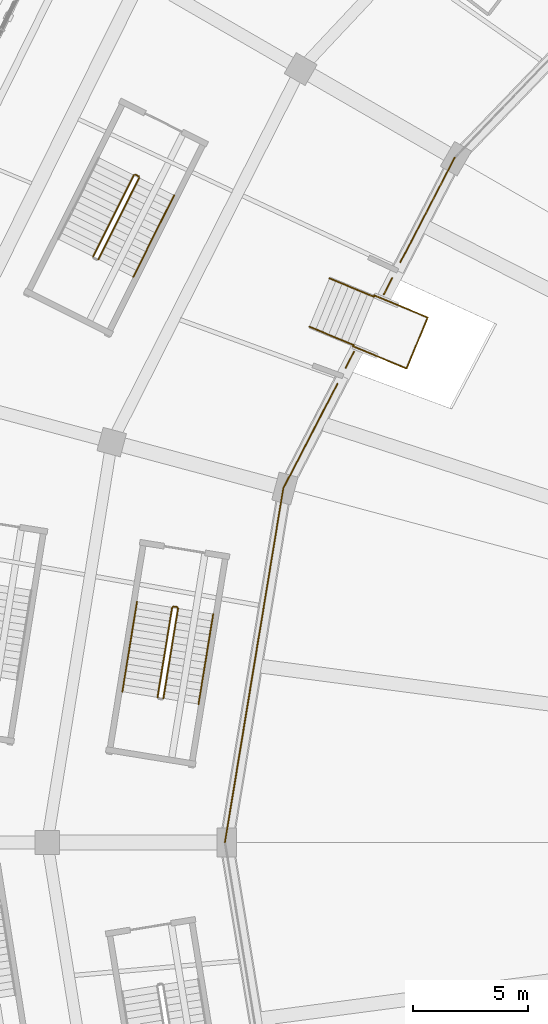
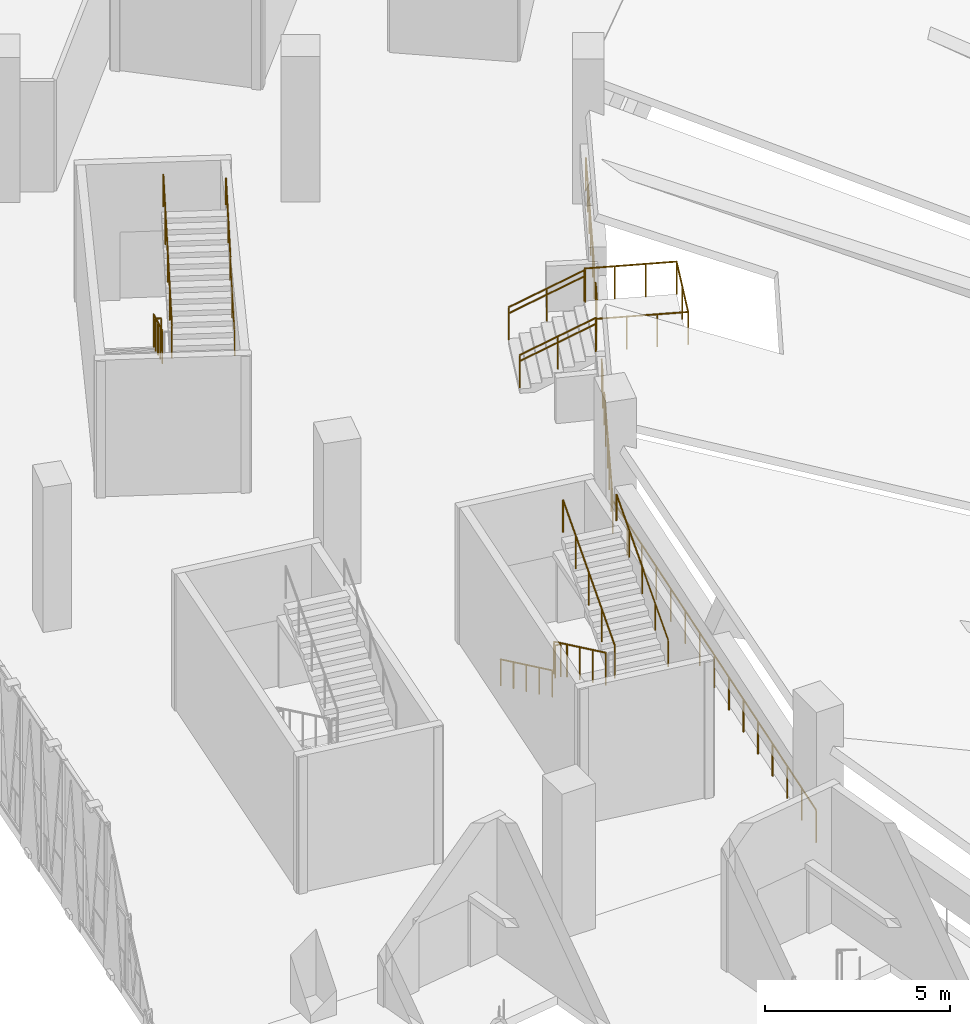
# One storey, part 142 of 183: 21 railings.
"""IFC4 building model written with IfcOpenShell, lengths in metres."""

import ifcopenshell
import ifcopenshell.guid

model = None  # the IFC model being written
_history = None  # IfcOwnerHistory: only IFC2X3 demands one
_inside = {}  # id of a spatial element -> (the spatial element, [elements in it])
_under = {}  # id of a project, library or spatial element -> (it, [spatial elements below it])
_declared = {}  # id of a project -> (the project, [libraries it declares])
_typed = {}  # id of a type object -> (the type object, [elements of that type])
_made_of = {}  # id of a material, layer set ... -> (it, [elements and type objects made of it])


def new_model(schema):
    """Start an empty IFC model of exactly this schema.

    Asked for "IFC4X3", IfcOpenShell would pick the latest addendum, in which some entities
    have other attributes; the version numbers below select the first issue.
    IFC2X3 requires an IfcOwnerHistory on every rooted entity: one is made here for all.
    """
    global model, _history
    if schema == "IFC4X3":
        model = ifcopenshell.file(schema_version=(4, 3, 0, 0))
    else:
        model = ifcopenshell.file(schema=schema)
    _inside.clear()
    _under.clear()
    _declared.clear()
    _typed.clear()
    _made_of.clear()
    _history = None
    if model.schema == "IFC2X3":
        org = make("IfcOrganization", Name="unknown")
        user = make(
            "IfcPersonAndOrganization",
            ThePerson=make("IfcPerson", FamilyName="unknown"),
            TheOrganization=org,
        )
        app = make(
            "IfcApplication",
            ApplicationDeveloper=org,
            Version="unknown",
            ApplicationFullName="unknown",
            ApplicationIdentifier="unknown",
        )
        _history = make(
            "IfcOwnerHistory",
            OwningUser=user,
            OwningApplication=app,
            ChangeAction="ADDED",
            CreationDate=0,
        )
    return model


def make(cls, **values):
    """One entity of the class cls with the attributes given. An attribute that is None is left unset."""
    return model.create_entity(
        cls, **{name: value for name, value in values.items() if value is not None}
    )


def rooted(cls, **values):
    """An entity with a GlobalId (a new one), such as an element, a storey or a relation."""
    return make(cls, GlobalId=ifcopenshell.guid.new(), OwnerHistory=_history, **values)


def si_unit(unit_type, name, prefix=None):
    """IfcSIUnit, for example si_unit("LENGTHUNIT", "METRE", prefix="MILLI")."""
    return make("IfcSIUnit", UnitType=unit_type, Prefix=prefix, Name=name)


def assignment(units):
    """IfcUnitAssignment: the units of a project."""
    return None if units is None else make("IfcUnitAssignment", Units=units)


def point(xyz):
    """IfcCartesianPoint."""
    return None if xyz is None else make("IfcCartesianPoint", Coordinates=xyz)


def direction(xyz):
    """IfcDirection."""
    return None if xyz is None else make("IfcDirection", DirectionRatios=xyz)


def frame(location, z_axis=None, x_axis=None):
    """IfcAxis2Placement3D, a coordinate frame: its origin and axes. An axis left out is left unset."""
    return make(
        "IfcAxis2Placement3D",
        Location=point(location),
        Axis=direction(z_axis),
        RefDirection=direction(x_axis),
    )


def frame_2d(location, x_axis=None):
    """IfcAxis2Placement2D, a coordinate frame in the plane: its origin and x axis."""
    return make(
        "IfcAxis2Placement2D", Location=point(location), RefDirection=direction(x_axis)
    )


def origin():
    """The frame at (0, 0, 0) with its axes left unset."""
    return frame((0.0, 0.0, 0.0))


def origin_2d():
    """The frame at (0, 0) in the plane with its x axis left unset."""
    return frame_2d((0.0, 0.0))


def place(relative_to, where):
    """IfcLocalPlacement: puts the frame where relative to a parent placement (None: the world)."""
    return make(
        "IfcLocalPlacement", PlacementRelTo=relative_to, RelativePlacement=where
    )


def context(
    kind, dimensions, precision=None, world=None, true_north=None, identifier=None
):
    """IfcGeometricRepresentationContext, for example the 3D "Model" context."""
    return make(
        "IfcGeometricRepresentationContext",
        ContextIdentifier=identifier,
        ContextType=kind,
        CoordinateSpaceDimension=dimensions,
        Precision=precision,
        WorldCoordinateSystem=world,
        TrueNorth=true_north,
    )


def subcontext(parent, identifier, kind, view, scale=None):
    """IfcGeometricRepresentationSubContext, for example "Body" below "Model"."""
    return make(
        "IfcGeometricRepresentationSubContext",
        ContextIdentifier=identifier,
        ContextType=kind,
        ParentContext=parent,
        TargetScale=scale,
        TargetView=view,
    )


def project(units=None, contexts=None):
    """IfcProject with its units and contexts."""
    return rooted(
        "IfcProject",
        Name="project",
        RepresentationContexts=contexts,
        UnitsInContext=assignment(units),
    )


def spatial(cls, under=None, at=None, **own):
    """A site, building, storey or space (cls), placed at a placement, below another one or the project."""
    s = rooted(cls, ObjectPlacement=at, **own)
    if under is not None:
        _under.setdefault(under.id(), (under, []))[1].append(s)
    return s


def profile(cls, at=None, kind="AREA", **sizes):
    """A parametric profile (cls). Its sizes go by their IFC names, for example OverallWidth=200.0."""
    return make(cls, ProfileType=kind, Position=at, **sizes)


def circle(**sizes):
    """IfcCircleProfileDef."""
    return profile("IfcCircleProfileDef", **sizes)


def extrude(swept, where, along, depth):
    """IfcExtrudedAreaSolid: the profile swept, set in the frame where, extruded along a direction by depth."""
    return make(
        "IfcExtrudedAreaSolid",
        SweptArea=swept,
        Position=where,
        ExtrudedDirection=direction(along),
        Depth=depth,
    )


def shape(context_of_items, identifier, shape_type, items):
    """IfcShapeRepresentation: the items that make up one representation, for example the "Body"."""
    return make(
        "IfcShapeRepresentation",
        ContextOfItems=context_of_items,
        RepresentationIdentifier=identifier,
        RepresentationType=shape_type,
        Items=items,
    )


def material(Name=None, Category=None):
    """IfcMaterial."""
    return make("IfcMaterial", Name=Name, Category=Category)


def made_of(thing, what):
    """Note that an element or type object is made of a material, layer set ...; save() writes the relation."""
    if what is not None:
        _made_of.setdefault(what.id(), (what, []))[1].append(thing)
    return thing


def type_object(cls, material=None, **own):
    """A type object (cls), such as IfcWallType, which elements share."""
    return made_of(rooted(cls, **own), material)


def element(
    cls,
    number,
    at=None,
    inside=None,
    cuts=None,
    type_object=None,
    material=None,
    context=None,
    identifier="Body",
    shape_type=None,
    held_by="IfcProductDefinitionShape",
    body=None,
    shapes=None,
    **own,
):
    """One element of the class cls, such as IfcWall. Its Tag is "e" and its number.

    at: its placement. inside: the storey or other place that contains it. cuts: it is an
    opening in that element (IfcRelVoidsElement). A single representation is given by context,
    identifier, shape_type and body (its items); several are given by shapes. held_by: the class
    of the entity that holds the representations. save() writes the other relations.
    """
    e = rooted(cls, Tag="e%d" % number, ObjectPlacement=at, **own)
    if body is not None:
        shapes = [shape(context, identifier, shape_type, body)]
    if shapes is not None:
        e.Representation = make(held_by, Representations=shapes)
    if inside is not None:
        _inside.setdefault(inside.id(), (inside, []))[1].append(e)
    if cuts is not None:
        rooted(
            "IfcRelVoidsElement", RelatingBuildingElement=cuts, RelatedOpeningElement=e
        )
    if type_object is not None:
        _typed.setdefault(type_object.id(), (type_object, []))[1].append(e)
    return made_of(e, material)


def aggregate(whole, parts):
    """IfcRelAggregates: a whole, such as a stair, and the parts it consists of."""
    return rooted("IfcRelAggregates", RelatingObject=whole, RelatedObjects=parts)


def save(model, path):
    """Write the relations noted so far, then the file.

    IfcRelAggregates (storeys below a building ...), IfcRelContainedInSpatialStructure (elements
    in a storey), IfcRelDefinesByType, IfcRelAssociatesMaterial and IfcRelDeclares: one each for
    every whole, place, type object, material and project.
    """
    for whole, parts in _under.values():
        aggregate(whole, parts)
    for where, things in _inside.values():
        rooted(
            "IfcRelContainedInSpatialStructure",
            RelatedElements=things,
            RelatingStructure=where,
        )
    for kind, things in _typed.values():
        rooted("IfcRelDefinesByType", RelatedObjects=things, RelatingType=kind)
    for what, things in _made_of.values():
        rooted("IfcRelAssociatesMaterial", RelatedObjects=things, RelatingMaterial=what)
    for by, libraries in _declared.values():
        rooted("IfcRelDeclares", RelatingContext=by, RelatedDefinitions=libraries)
    model.write(path)


model = new_model("IFC4")

# Units and contexts
model_context = context("Model", 3, precision=1e-05, world=origin(), true_north=direction((0.0, 1.0)))
body_context = subcontext(model_context, "Body", "Model", "MODEL_VIEW")
ifc_project = project(units=[si_unit("LENGTHUNIT", "METRE"), si_unit("AREAUNIT", "SQUARE_METRE"), si_unit("VOLUMEUNIT", "CUBIC_METRE"), si_unit("PLANEANGLEUNIT", "RADIAN"), si_unit("MASSUNIT", "GRAM", prefix="KILO")], contexts=[model_context])

# Site, building, storey
site_placement = place(None, origin())
site = spatial("IfcSite", under=ifc_project, at=site_placement, CompositionType="ELEMENT")
building_placement = place(site_placement, origin())
building = spatial("IfcBuilding", under=site, at=building_placement, Name="Zevraka Park Crest Stadium", CompositionType="ELEMENT")
storey_placement = place(building_placement, frame((0.0, 0.0, 5.39990234375)))
storey = spatial("IfcBuildingStorey", under=building, at=storey_placement, Name="L01", CompositionType="ELEMENT", Elevation=5.39990234375)

# Railings
ifc_material_1 = material(Name="Galvanised and bronze-finished steel balustrade", Category="steel")
railing_type_1 = type_object("IfcRailingType", Name="GR01", PredefinedType="GUARDRAIL", material=ifc_material_1)
railing_1_placement = place(storey_placement, frame((47.429931640625, 121.798095703125, 0.0)))
element("IfcRailing", 1, at=railing_1_placement, inside=storey, type_object=railing_type_1, Name="Deck Edge Protection Guardrail GR01 L01-95", PredefinedType="GUARDRAIL", context=body_context, shape_type="SweptSolid", body=[
    extrude(circle(Radius=0.02392578125, at=origin_2d()), frame((0.0, 0.0, 1.076171875), z_axis=(-0.460815991799, -0.887495702357, 0.0), x_axis=(0.887495702357, -0.460815991799, 0.0)), (0.0, 0.0, 1.0), 5.1279296875),
    extrude(circle(Radius=0.02099609375, at=origin_2d()), origin(), (0.0, 0.0, 1.0), 1.052001953125),
    extrude(circle(Radius=0.02099609375, at=origin_2d()), frame((-0.47265625, -0.91015625, 0.0)), (0.0, 0.0, 1.0), 1.052001953125),
    extrude(circle(Radius=0.02099609375, at=origin_2d()), frame((-0.9453125, -1.8203125, 0.0)), (0.0, 0.0, 1.0), 1.052001953125),
    extrude(circle(Radius=0.02099609375, at=origin_2d()), frame((-1.417724609375, -2.730712890625, 0.0)), (0.0, 0.0, 1.0), 1.052001953125),
    extrude(circle(Radius=0.02099609375, at=origin_2d()), frame((-1.890380859375, -3.640869140625, 0.0)), (0.0, 0.0, 1.0), 1.052001953125),
    extrude(circle(Radius=0.02099609375, at=origin_2d()), frame((-2.363037109375, -4.551025390625, 0.0)), (0.0, 0.0, 1.0), 1.052001953125),
])
railing_2_placement = place(storey_placement, frame((44.7080078125, 116.553955078125, 0.0)))
element("IfcRailing", 2, at=railing_2_placement, inside=storey, type_object=railing_type_1, Name="Deck Edge Protection Guardrail GR01 L01-96", PredefinedType="GUARDRAIL", context=body_context, shape_type="SweptSolid", body=[
    extrude(circle(Radius=0.02392578125, at=origin_2d()), frame((0.0, 0.0, 1.076171875), z_axis=(-0.46081061424, -0.887498494536, 0.0), x_axis=(0.887498494536, -0.46081061424, 0.0)), (0.0, 0.0, 1.0), 0.794189453125),
    extrude(circle(Radius=0.02099609375, at=origin_2d()), origin(), (0.0, 0.0, 1.0), 1.052001953125),
    extrude(circle(Radius=0.02099609375, at=origin_2d()), frame((-0.365966796875, -0.704833984375, 0.0)), (0.0, 0.0, 1.0), 1.052001953125),
])
railing_3_placement = place(storey_placement, frame((43.048095703125, 113.35400390625, 0.0)))
element("IfcRailing", 3, at=railing_3_placement, inside=storey, type_object=railing_type_1, Name="Deck Edge Protection Guardrail GR01 L01-97", PredefinedType="GUARDRAIL", context=body_context, shape_type="SweptSolid", body=[
    extrude(circle(Radius=0.02392578125, at=origin_2d()), frame((0.0, 0.0, 1.076171875), z_axis=(-0.460380253087, -0.88772181598, 0.0), x_axis=(0.88772181598, -0.460380253087, 0.0)), (0.0, 0.0, 1.0), 0.790771484375),
    extrude(circle(Radius=0.02099609375, at=origin_2d()), origin(), (0.0, 0.0, 1.0), 1.052001953125),
    extrude(circle(Radius=0.02099609375, at=origin_2d()), frame((-0.364013671875, -0.701904296875, 0.0)), (0.0, 0.0, 1.0), 1.052001953125),
])
railing_4_placement = place(storey_placement, frame((42.322021484375, 111.9541015625, 0.0)))
element("IfcRailing", 4, at=railing_4_placement, inside=storey, type_object=railing_type_1, Name="Deck Edge Protection Guardrail GR01 L01-98", PredefinedType="GUARDRAIL", context=body_context, shape_type="SweptSolid", body=[
    extrude(circle(Radius=0.02392578125, at=origin_2d()), frame((0.0, 0.0, 1.076171875), z_axis=(-0.459846182359, -0.887998585905, 0.0), x_axis=(0.887998585905, -0.459846182359, 0.0)), (0.0, 0.0, 1.0), 5.11474609375),
    extrude(circle(Radius=0.02099609375, at=origin_2d()), origin(), (0.0, 0.0, 1.0), 1.052001953125),
    extrude(circle(Radius=0.02099609375, at=origin_2d()), frame((-0.470458984375, -0.908447265625, 0.0)), (0.0, 0.0, 1.0), 1.052001953125),
    extrude(circle(Radius=0.02099609375, at=origin_2d()), frame((-0.94091796875, -1.81689453125, 0.0)), (0.0, 0.0, 1.0), 1.052001953125),
    extrude(circle(Radius=0.02099609375, at=origin_2d()), frame((-1.4111328125, -2.72509765625, 0.0)), (0.0, 0.0, 1.0), 1.052001953125),
    extrude(circle(Radius=0.02099609375, at=origin_2d()), frame((-1.881591796875, -3.633544921875, 0.0)), (0.0, 0.0, 1.0), 1.052001953125),
    extrude(circle(Radius=0.02099609375, at=origin_2d()), frame((-2.35205078125, -4.5419921875, 0.0)), (0.0, 0.0, 1.0), 1.052001953125),
])
railing_5_placement = place(storey_placement, frame((39.969970703125, 107.412109375, 0.0)))
element("IfcRailing", 5, at=railing_5_placement, inside=storey, type_object=railing_type_1, Name="Deck Edge Protection Guardrail GR01 L01-99", PredefinedType="GUARDRAIL", context=body_context, shape_type="SweptSolid", body=[
    extrude(circle(Radius=0.02392578125, at=origin_2d()), frame((0.0, 0.0, 1.076171875), z_axis=(-0.162583586592, -0.986694774168, 0.0), x_axis=(0.986694774168, -0.162583586592, 0.0)), (0.0, 0.0, 1.0), 15.616943359375),
    extrude(circle(Radius=0.02099609375, at=origin_2d()), origin(), (0.0, 0.0, 1.0), 1.052001953125),
    extrude(circle(Radius=0.02099609375, at=origin_2d()), frame((-0.181396484375, -1.1005859375, 0.0)), (0.0, 0.0, 1.0), 1.052001953125),
    extrude(circle(Radius=0.02099609375, at=origin_2d()), frame((-0.36279296875, -2.201416015625, 0.0)), (0.0, 0.0, 1.0), 1.052001953125),
    extrude(circle(Radius=0.02099609375, at=origin_2d()), frame((-0.544189453125, -3.302001953125, 0.0)), (0.0, 0.0, 1.0), 1.052001953125),
    extrude(circle(Radius=0.02099609375, at=origin_2d()), frame((-0.725341796875, -4.402587890625, 0.0)), (0.0, 0.0, 1.0), 1.052001953125),
    extrude(circle(Radius=0.02099609375, at=origin_2d()), frame((-0.90673828125, -5.503173828125, 0.0)), (0.0, 0.0, 1.0), 1.052001953125),
    extrude(circle(Radius=0.02099609375, at=origin_2d()), frame((-1.088134765625, -6.60400390625, 0.0)), (0.0, 0.0, 1.0), 1.052001953125),
    extrude(circle(Radius=0.02099609375, at=origin_2d()), frame((-1.26953125, -7.70458984375, 0.0)), (0.0, 0.0, 1.0), 1.052001953125),
    extrude(circle(Radius=0.02099609375, at=origin_2d()), frame((-1.450927734375, -8.80517578125, 0.0)), (0.0, 0.0, 1.0), 1.052001953125),
    extrude(circle(Radius=0.02099609375, at=origin_2d()), frame((-1.63232421875, -9.906005859375, 0.0)), (0.0, 0.0, 1.0), 1.052001953125),
    extrude(circle(Radius=0.02099609375, at=origin_2d()), frame((-1.813720703125, -11.006591796875, 0.0)), (0.0, 0.0, 1.0), 1.052001953125),
    extrude(circle(Radius=0.02099609375, at=origin_2d()), frame((-1.994873046875, -12.107177734375, 0.0)), (0.0, 0.0, 1.0), 1.052001953125),
    extrude(circle(Radius=0.02099609375, at=origin_2d()), frame((-2.17626953125, -13.207763671875, 0.0)), (0.0, 0.0, 1.0), 1.052001953125),
    extrude(circle(Radius=0.02099609375, at=origin_2d()), frame((-2.357666015625, -14.30859375, 0.0)), (0.0, 0.0, 1.0), 1.052001953125),
    extrude(circle(Radius=0.02099609375, at=origin_2d()), frame((-2.5390625, -15.4091796875, 0.0)), (0.0, 0.0, 1.0), 1.052001953125),
])
ifc_material_2 = material(Name="Powder-coated tubular steel stairwell guard", Category="steel")
railing_type_2 = type_object("IfcRailingType", Name="GR03", PredefinedType="GUARDRAIL", material=ifc_material_2)
railing_6_placement = place(storey_placement, frame((33.4677734375, 121.034912109375, 0.171630859375)))
element("IfcRailing", 6, at=railing_6_placement, inside=storey, type_object=railing_type_2, Name="L01 ST11 stair guard 1", PredefinedType="GUARDRAIL", context=body_context, shape_type="SweptSolid", body=[
    extrude(circle(Radius=0.02392578125, at=origin_2d()), frame((0.0, 0.0, 1.076171875), z_axis=(-0.39045397791, -0.779404971028, 0.489973042393), x_axis=(0.894082100069, -0.447903112666, 0.0)), (0.0, 0.0, 1.0), 4.54833984375),
    extrude(circle(Radius=0.02099609375, at=origin_2d()), origin(), (0.0, 0.0, 1.0), 1.052001953125),
    extrude(circle(Radius=0.02099609375, at=origin_2d()), frame((-0.44384765625, -0.88623046875, 0.55712890625)), (0.0, 0.0, 1.0), 1.052001953125),
    extrude(circle(Radius=0.02099609375, at=origin_2d()), frame((-0.887939453125, -1.7724609375, 1.1142578125)), (0.0, 0.0, 1.0), 1.052001953125),
    extrude(circle(Radius=0.02099609375, at=origin_2d()), frame((-1.33203125, -2.65869140625, 1.67138671875)), (0.0, 0.0, 1.0), 1.052001953125),
    extrude(circle(Radius=0.02099609375, at=origin_2d()), frame((-1.77587890625, -3.544921875, 2.228515625)), (0.0, 0.0, 1.0), 1.052001953125),
])
railing_7_placement = place(storey_placement, frame((31.92431640625, 117.37353515625, 2.571533203125)))
element("IfcRailing", 7, at=railing_7_placement, inside=storey, type_object=railing_type_2, Name="L01 ST11 stair guard 3", PredefinedType="GUARDRAIL", context=body_context, shape_type="SweptSolid", body=[
    extrude(circle(Radius=0.02392578125, at=origin_2d()), frame((0.0, 0.0, 1.076171875), z_axis=(0.39045397791, 0.779404971028, 0.489973042393), x_axis=(-0.894082100069, 0.447903112666, 0.0)), (0.0, 0.0, 1.0), 4.54833984375),
    extrude(circle(Radius=0.02099609375, at=origin_2d()), origin(), (0.0, 0.0, 1.0), 1.052001953125),
    extrude(circle(Radius=0.02099609375, at=origin_2d()), frame((0.44384765625, 0.88623046875, 0.55712890625)), (0.0, 0.0, 1.0), 1.052001953125),
    extrude(circle(Radius=0.02099609375, at=origin_2d()), frame((0.887939453125, 1.7724609375, 1.1142578125)), (0.0, 0.0, 1.0), 1.052001953125),
    extrude(circle(Radius=0.02099609375, at=origin_2d()), frame((1.33203125, 2.65869140625, 1.67138671875)), (0.0, 0.0, 1.0), 1.052001953125),
    extrude(circle(Radius=0.02099609375, at=origin_2d()), frame((1.77587890625, 3.544921875, 2.228515625)), (0.0, 0.0, 1.0), 1.052001953125),
])
railing_8_placement = place(storey_placement, frame((33.534912109375, 121.057373046875, 0.0)))
element("IfcRailing", 8, at=railing_8_placement, inside=storey, type_object=railing_type_2, Name="L01 ST11 stair guard 4", PredefinedType="GUARDRAIL", context=body_context, shape_type="SweptSolid", body=[
    extrude(circle(Radius=0.02392578125, at=origin_2d()), frame((0.0, 0.0, 1.076171875), z_axis=(0.893816245171, -0.44843340628, 0.0), x_axis=(0.44843340628, 0.893816245171, 0.0)), (0.0, 0.0, 1.0), 0.16015625),
    extrude(circle(Radius=0.02099609375, at=origin_2d()), origin(), (0.0, 0.0, 1.0), 1.052001953125),
    extrude(circle(Radius=0.02099609375, at=origin_2d()), frame((0.14306640625, -0.07177734375, 0.0)), (0.0, 0.0, 1.0), 1.052001953125),
])
railing_9_placement = place(storey_placement, frame((35.133544921875, 102.224609375, 0.171630859375)))
element("IfcRailing", 9, at=railing_9_placement, inside=storey, type_object=railing_type_2, Name="L01 ST38 stair guard 1", PredefinedType="GUARDRAIL", context=body_context, shape_type="SweptSolid", body=[
    extrude(circle(Radius=0.02392578125, at=origin_2d()), frame((0.0, 0.0, 1.076171875), z_axis=(-0.140099761866, -0.860405778907, 0.489973420043), x_axis=(0.987001137569, -0.160713267768, 0.0)), (0.0, 0.0, 1.0), 4.54833984375),
    extrude(circle(Radius=0.02099609375, at=origin_2d()), origin(), (0.0, 0.0, 1.0), 1.052001953125),
    extrude(circle(Radius=0.02099609375, at=origin_2d()), frame((-0.1591796875, -0.978271484375, 0.55712890625)), (0.0, 0.0, 1.0), 1.052001953125),
    extrude(circle(Radius=0.02099609375, at=origin_2d()), frame((-0.318603515625, -1.95654296875, 1.1142578125)), (0.0, 0.0, 1.0), 1.052001953125),
    extrude(circle(Radius=0.02099609375, at=origin_2d()), frame((-0.47802734375, -2.93505859375, 1.67138671875)), (0.0, 0.0, 1.0), 1.052001953125),
    extrude(circle(Radius=0.02099609375, at=origin_2d()), frame((-0.63720703125, -3.913330078125, 2.228515625)), (0.0, 0.0, 1.0), 1.052001953125),
])
railing_10_placement = place(storey_placement, frame((34.7529296875, 98.26953125, 2.571533203125)))
element("IfcRailing", 10, at=railing_10_placement, inside=storey, type_object=railing_type_2, Name="L01 ST38 stair guard 3", PredefinedType="GUARDRAIL", context=body_context, shape_type="SweptSolid", body=[
    extrude(circle(Radius=0.02392578125, at=origin_2d()), frame((0.0, 0.0, 1.076171875), z_axis=(0.140099761866, 0.860405778907, 0.489973420043), x_axis=(-0.987001137569, 0.160713267768, 0.0)), (0.0, 0.0, 1.0), 4.54833984375),
    extrude(circle(Radius=0.02099609375, at=origin_2d()), origin(), (0.0, 0.0, 1.0), 1.052001953125),
    extrude(circle(Radius=0.02099609375, at=origin_2d()), frame((0.1591796875, 0.978271484375, 0.55712890625)), (0.0, 0.0, 1.0), 1.052001953125),
    extrude(circle(Radius=0.02099609375, at=origin_2d()), frame((0.318603515625, 1.95654296875, 1.1142578125)), (0.0, 0.0, 1.0), 1.052001953125),
    extrude(circle(Radius=0.02099609375, at=origin_2d()), frame((0.47802734375, 2.93505859375, 1.67138671875)), (0.0, 0.0, 1.0), 1.052001953125),
    extrude(circle(Radius=0.02099609375, at=origin_2d()), frame((0.63720703125, 3.913330078125, 2.228515625)), (0.0, 0.0, 1.0), 1.052001953125),
])
railing_11_placement = place(storey_placement, frame((35.19091796875, 102.26611328125, 0.0)))
element("IfcRailing", 11, at=railing_11_placement, inside=storey, type_object=railing_type_2, Name="L01 ST38 stair guard 4", PredefinedType="GUARDRAIL", context=body_context, shape_type="SweptSolid", body=[
    extrude(circle(Radius=0.02392578125, at=origin_2d()), frame((0.0, 0.0, 1.076171875), z_axis=(0.986843627435, -0.161677626751, 0.0), x_axis=(0.161677626751, 0.986843627435, 0.0)), (0.0, 0.0, 1.0), 0.16015625),
    extrude(circle(Radius=0.02099609375, at=origin_2d()), origin(), (0.0, 0.0, 1.0), 1.052001953125),
    extrude(circle(Radius=0.02099609375, at=origin_2d()), frame((0.157958984375, -0.02587890625, 0.0)), (0.0, 0.0, 1.0), 1.052001953125),
])
railing_12_placement = place(storey_placement, frame((41.10693359375, 114.43994140625, 0.150146484375)))
element("IfcRailing", 12, at=railing_12_placement, inside=storey, type_object=railing_type_2, Name="Vomitory Flight Guard VS-04-1", PredefinedType="GUARDRAIL", context=body_context, shape_type="SweptSolid", body=[
    extrude(circle(Radius=0.02392578125, at=origin_2d()), frame((0.0, 0.0, 1.076171875), z_axis=(0.826301957019, -0.342394909332, 0.447203311582), x_axis=(0.382806945527, 0.923828362011, 0.0)), (0.0, 0.0, 1.0), 2.34814453125),
    extrude(circle(Radius=0.02099609375, at=origin_2d()), origin(), (0.0, 0.0, 1.0), 1.052001953125),
    extrude(circle(Radius=0.02099609375, at=origin_2d()), frame((0.97021484375, -0.40185546875, 0.52490234375)), (0.0, 0.0, 1.0), 1.052001953125),
    extrude(circle(Radius=0.02099609375, at=origin_2d()), frame((1.940185546875, -0.803955078125, 1.050048828125)), (0.0, 0.0, 1.0), 1.052001953125),
])
railing_13_placement = place(storey_placement, frame((41.97900390625, 116.5458984375, 0.150146484375)))
element("IfcRailing", 13, at=railing_13_placement, inside=storey, type_object=railing_type_2, Name="Vomitory Flight Guard VS-04-2", PredefinedType="GUARDRAIL", context=body_context, shape_type="SweptSolid", body=[
    extrude(circle(Radius=0.02392578125, at=origin_2d()), frame((0.0, 0.0, 1.076171875), z_axis=(0.826386606837, -0.342057079019, 0.447305411025), x_axis=(0.382451072807, 0.923975744762, 0.0)), (0.0, 0.0, 1.0), 2.347412109375),
    extrude(circle(Radius=0.02099609375, at=origin_2d()), origin(), (0.0, 0.0, 1.0), 1.052001953125),
    extrude(circle(Radius=0.02099609375, at=origin_2d()), frame((0.969970703125, -0.4013671875, 0.52490234375)), (0.0, 0.0, 1.0), 1.052001953125),
    extrude(circle(Radius=0.02099609375, at=origin_2d()), frame((1.93994140625, -0.802978515625, 1.050048828125)), (0.0, 0.0, 1.0), 1.052001953125),
])
railing_14_placement = place(storey_placement, frame((43.0009765625, 113.590087890625, 1.2001953125)))
element("IfcRailing", 14, at=railing_14_placement, inside=storey, type_object=railing_type_2, Name="Vomitory Landing Guard VS-04-1", PredefinedType="GUARDRAIL", context=body_context, shape_type="SweptSolid", body=[
    extrude(circle(Radius=0.02392578125, at=origin_2d()), frame((0.0, 0.0, 1.076171875), z_axis=(0.923921394748, -0.382582352346, 0.0), x_axis=(0.382582352346, 0.923921394748, 0.0)), (0.0, 0.0, 1.0), 2.525146484375),
    extrude(circle(Radius=0.02099609375, at=origin_2d()), origin(), (0.0, 0.0, 1.0), 1.052001953125),
    extrude(circle(Radius=0.02099609375, at=origin_2d()), frame((0.777587890625, -0.322021484375, 0.0)), (0.0, 0.0, 1.0), 1.052001953125),
    extrude(circle(Radius=0.02099609375, at=origin_2d()), frame((1.555419921875, -0.64404296875, 0.0)), (0.0, 0.0, 1.0), 1.052001953125),
    extrude(circle(Radius=0.02099609375, at=origin_2d()), frame((2.3330078125, -0.966064453125, 0.0)), (0.0, 0.0, 1.0), 1.052001953125),
])
railing_15_placement = place(storey_placement, frame((45.333984375, 112.6240234375, 1.2001953125)))
element("IfcRailing", 15, at=railing_15_placement, inside=storey, type_object=railing_type_2, Name="Vomitory Landing Guard VS-04-2", PredefinedType="GUARDRAIL", context=body_context, shape_type="SweptSolid", body=[
    extrude(circle(Radius=0.02392578125, at=origin_2d()), frame((0.0, 0.0, 1.076171875), z_axis=(0.382555476978, 0.923932522988, 0.0), x_axis=(-0.923932522988, 0.382555476978, 0.0)), (0.0, 0.0, 1.0), 2.399658203125),
    extrude(circle(Radius=0.02099609375, at=origin_2d()), origin(), (0.0, 0.0, 1.0), 1.052001953125),
    extrude(circle(Radius=0.02099609375, at=origin_2d()), frame((0.458984375, 1.1083984375, 0.0)), (0.0, 0.0, 1.0), 1.052001953125),
    extrude(circle(Radius=0.02099609375, at=origin_2d()), frame((0.91796875, 2.217041015625, 0.0)), (0.0, 0.0, 1.0), 1.052001953125),
])
railing_16_placement = place(storey_placement, frame((46.251953125, 114.841064453125, 1.2001953125)))
element("IfcRailing", 16, at=railing_16_placement, inside=storey, type_object=railing_type_2, Name="Vomitory Landing Guard VS-04-3", PredefinedType="GUARDRAIL", context=body_context, shape_type="SweptSolid", body=[
    extrude(circle(Radius=0.02392578125, at=origin_2d()), frame((0.0, 0.0, 1.076171875), z_axis=(-0.923784652769, 0.382912412057, 0.0), x_axis=(-0.382912412057, -0.923784652769, 0.0)), (0.0, 0.0, 1.0), 2.525390625),
    extrude(circle(Radius=0.02099609375, at=origin_2d()), origin(), (0.0, 0.0, 1.0), 1.052001953125),
    extrude(circle(Radius=0.02099609375, at=origin_2d()), frame((-0.777587890625, 0.322265625, 0.0)), (0.0, 0.0, 1.0), 1.052001953125),
    extrude(circle(Radius=0.02099609375, at=origin_2d()), frame((-1.555419921875, 0.644775390625, 0.0)), (0.0, 0.0, 1.0), 1.052001953125),
    extrude(circle(Radius=0.02099609375, at=origin_2d()), frame((-2.3330078125, 0.967041015625, 0.0)), (0.0, 0.0, 1.0), 1.052001953125),
])
ifc_material_3 = material(Name="Brushed stainless steel continuous handrail", Category="steel")
railing_type_3 = type_object("IfcRailingType", Name="HR01", PredefinedType="HANDRAIL", material=ifc_material_3)
railing_17_placement = place(storey_placement, frame((33.4443359375, 116.612060546875, 2.571533203125)))
element("IfcRailing", 17, at=railing_17_placement, inside=storey, type_object=railing_type_3, Name="L01 ST11 stair handrail 2", PredefinedType="HANDRAIL", context=body_context, shape_type="SweptSolid", body=[
    extrude(circle(Radius=0.02392578125, at=origin_2d()), frame((0.0, 0.0, 0.8759765625), z_axis=(0.39045397791, 0.779404971028, 0.489973042393), x_axis=(-0.894082100069, 0.447903112666, 0.0)), (0.0, 0.0, 1.0), 4.54833984375),
    extrude(circle(Radius=0.02099609375, at=origin_2d()), origin(), (0.0, 0.0, 1.0), 0.851806640625),
    extrude(circle(Radius=0.02099609375, at=origin_2d()), frame((0.44384765625, 0.88623046875, 0.55712890625)), (0.0, 0.0, 1.0), 0.851806640625),
    extrude(circle(Radius=0.02099609375, at=origin_2d()), frame((0.887939453125, 1.7724609375, 1.1142578125)), (0.0, 0.0, 1.0), 0.851806640625),
    extrude(circle(Radius=0.02099609375, at=origin_2d()), frame((1.33203125, 2.65869140625, 1.67138671875)), (0.0, 0.0, 1.0), 0.851806640625),
    extrude(circle(Radius=0.02099609375, at=origin_2d()), frame((1.77587890625, 3.544921875, 2.228515625)), (0.0, 0.0, 1.0), 0.851806640625),
])
railing_18_placement = place(storey_placement, frame((33.603515625, 102.473876953125, 0.171630859375)))
element("IfcRailing", 18, at=railing_18_placement, inside=storey, type_object=railing_type_3, Name="L01 ST38 stair handrail 1", PredefinedType="HANDRAIL", context=body_context, shape_type="SweptSolid", body=[
    extrude(circle(Radius=0.02392578125, at=origin_2d()), frame((0.0, 0.0, 0.8759765625), z_axis=(-0.140093291616, -0.860419718238, 0.489950791521), x_axis=(0.987002727855, -0.160703500917, 0.0)), (0.0, 0.0, 1.0), 4.54833984375),
    extrude(circle(Radius=0.02099609375, at=origin_2d()), origin(), (0.0, 0.0, 1.0), 0.851806640625),
    extrude(circle(Radius=0.02099609375, at=origin_2d()), frame((-0.1591796875, -0.978515625, 0.55712890625)), (0.0, 0.0, 1.0), 0.851806640625),
    extrude(circle(Radius=0.02099609375, at=origin_2d()), frame((-0.318603515625, -1.956787109375, 1.1142578125)), (0.0, 0.0, 1.0), 0.851806640625),
    extrude(circle(Radius=0.02099609375, at=origin_2d()), frame((-0.47802734375, -2.93505859375, 1.67138671875)), (0.0, 0.0, 1.0), 0.851806640625),
    extrude(circle(Radius=0.02099609375, at=origin_2d()), frame((-0.63720703125, -3.91357421875, 2.228515625)), (0.0, 0.0, 1.0), 0.851806640625),
])
railing_19_placement = place(storey_placement, frame((36.28271484375, 98.020263671875, 2.571533203125)))
element("IfcRailing", 19, at=railing_19_placement, inside=storey, type_object=railing_type_3, Name="L01 ST38 stair handrail 2", PredefinedType="HANDRAIL", context=body_context, shape_type="SweptSolid", body=[
    extrude(circle(Radius=0.02392578125, at=origin_2d()), frame((0.0, 0.0, 0.8759765625), z_axis=(0.140093291616, 0.860419718238, 0.489950791521), x_axis=(-0.987002727855, 0.160703500917, 0.0)), (0.0, 0.0, 1.0), 4.54833984375),
    extrude(circle(Radius=0.02099609375, at=origin_2d()), origin(), (0.0, 0.0, 1.0), 0.851806640625),
    extrude(circle(Radius=0.02099609375, at=origin_2d()), frame((0.1591796875, 0.978515625, 0.55712890625)), (0.0, 0.0, 1.0), 0.851806640625),
    extrude(circle(Radius=0.02099609375, at=origin_2d()), frame((0.318603515625, 1.956787109375, 1.1142578125)), (0.0, 0.0, 1.0), 0.851806640625),
    extrude(circle(Radius=0.02099609375, at=origin_2d()), frame((0.47802734375, 2.93505859375, 1.67138671875)), (0.0, 0.0, 1.0), 0.851806640625),
    extrude(circle(Radius=0.02099609375, at=origin_2d()), frame((0.63720703125, 3.91357421875, 2.228515625)), (0.0, 0.0, 1.0), 0.851806640625),
])
railing_20_placement = place(storey_placement, frame((41.10693359375, 114.43994140625, 0.150146484375)))
element("IfcRailing", 20, at=railing_20_placement, inside=storey, type_object=railing_type_3, Name="Vomitory Handrail VS-04-1", PredefinedType="HANDRAIL", context=body_context, shape_type="SweptSolid", body=[
    extrude(circle(Radius=0.02392578125, at=origin_2d()), frame((0.0, 0.0, 0.8759765625), z_axis=(0.826301957019, -0.342394909332, 0.447203311582), x_axis=(0.382806945527, 0.923828362011, 0.0)), (0.0, 0.0, 1.0), 2.34814453125),
    extrude(circle(Radius=0.02099609375, at=origin_2d()), origin(), (0.0, 0.0, 1.0), 0.851806640625),
    extrude(circle(Radius=0.02099609375, at=origin_2d()), frame((0.97021484375, -0.40185546875, 0.52490234375)), (0.0, 0.0, 1.0), 0.851806640625),
    extrude(circle(Radius=0.02099609375, at=origin_2d()), frame((1.940185546875, -0.803955078125, 1.050048828125)), (0.0, 0.0, 1.0), 0.851806640625),
])
railing_21_placement = place(storey_placement, frame((41.97900390625, 116.5458984375, 0.150146484375)))
element("IfcRailing", 21, at=railing_21_placement, inside=storey, type_object=railing_type_3, Name="Vomitory Handrail VS-04-2", PredefinedType="HANDRAIL", context=body_context, shape_type="SweptSolid", body=[
    extrude(circle(Radius=0.02392578125, at=origin_2d()), frame((0.0, 0.0, 0.8759765625), z_axis=(0.826386606837, -0.342057079019, 0.447305411025), x_axis=(0.382451072807, 0.923975744762, 0.0)), (0.0, 0.0, 1.0), 2.347412109375),
    extrude(circle(Radius=0.02099609375, at=origin_2d()), origin(), (0.0, 0.0, 1.0), 0.851806640625),
    extrude(circle(Radius=0.02099609375, at=origin_2d()), frame((0.969970703125, -0.4013671875, 0.52490234375)), (0.0, 0.0, 1.0), 0.851806640625),
    extrude(circle(Radius=0.02099609375, at=origin_2d()), frame((1.93994140625, -0.802978515625, 1.050048828125)), (0.0, 0.0, 1.0), 0.851806640625),
])

save(model, "model.ifc")
